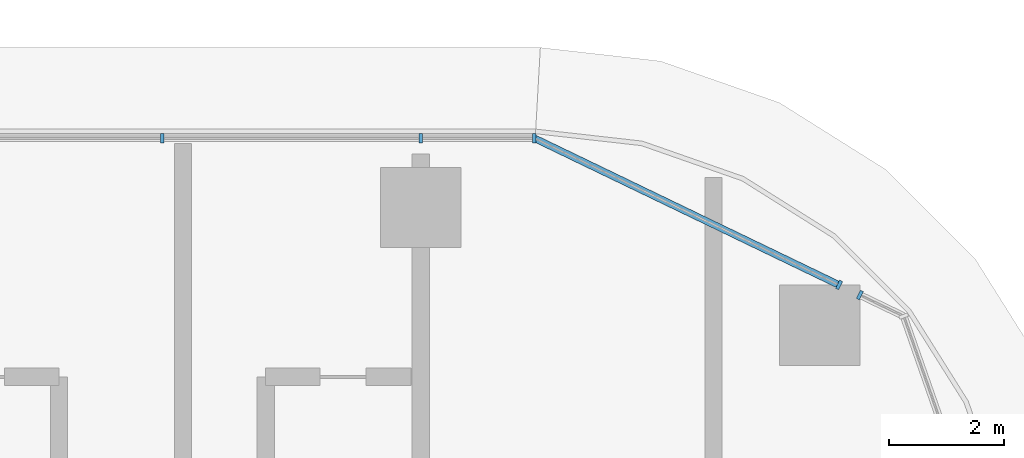
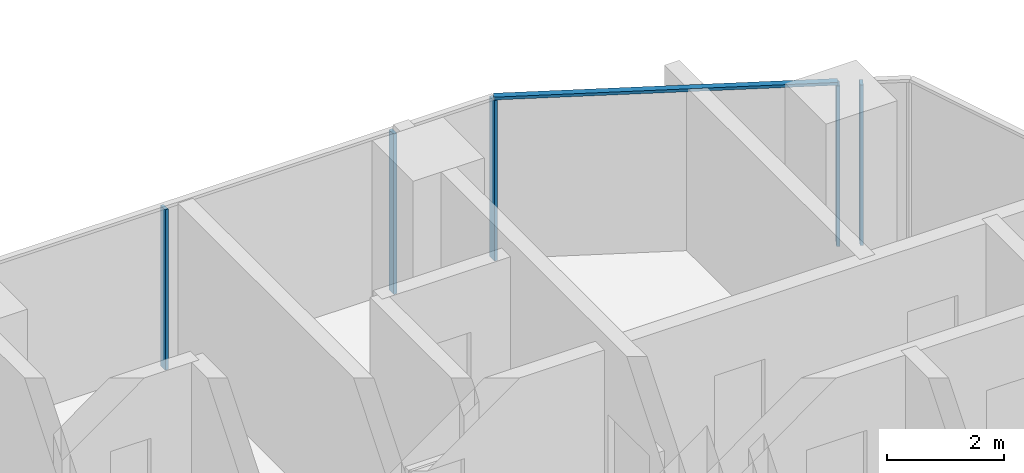
# One storey, part 5 of 39: 6 members, 3 elements without a shape of their own.
"""IFC4 building model written with IfcOpenShell, lengths in metres."""

from ifc_helpers import new_model, si_unit, direction, frame, origin, origin_2d, place, context, subcontext, project, spatial, rectangle, extrude, material, material_profile, profile_set, type_object, element, aggregate, save


model = new_model("IFC4")

# Units and contexts
model_context = context("Model", 3, precision=1e-05, world=origin(), true_north=direction((0.0, 1.0)))
body_context = subcontext(model_context, "Body", "Model", "MODEL_VIEW")
ifc_project = project(units=[si_unit("LENGTHUNIT", "METRE"), si_unit("AREAUNIT", "SQUARE_METRE"), si_unit("VOLUMEUNIT", "CUBIC_METRE"), si_unit("PLANEANGLEUNIT", "RADIAN"), si_unit("MASSUNIT", "GRAM", prefix="KILO")], contexts=[model_context])

# Site, building, storey
site_placement = place(None, origin())
site = spatial("IfcSite", under=ifc_project, at=site_placement, CompositionType="ELEMENT")
building_placement = place(site_placement, origin())
building = spatial("IfcBuilding", under=site, at=building_placement, Name="Ogive Portal Towers", CompositionType="ELEMENT")
storey_placement = place(building_placement, frame((0.0, 0.0, 44.60009765625)))
storey = spatial("IfcBuildingStorey", under=building, at=storey_placement, Name="L09", CompositionType="ELEMENT", Elevation=44.60009765625)

# Curtain wall, members
ifc_material_1 = material(Name="Glass, clear low-iron insulated glazing", Category="glass")
curtain_wall_type = type_object("IfcCurtainWallType", Name="CW FRONT RIBBON 4500", PredefinedType="NOTDEFINED", material=ifc_material_1)
curtain_wall_1_placement = place(storey_placement, origin())
curtain_wall_1 = element("IfcCurtainWall", 1, at=curtain_wall_1_placement, inside=storey, type_object=curtain_wall_type, Name="A:L09:f11:cw0", PredefinedType="NOTDEFINED")
ifc_material_2 = material(Name="Aluminium 6063 anodised", Category="aluminium")
ifc_material_profile_1 = material_profile(ifc_material_2, rectangle(XDim=0.159912109375, YDim=0.06005859375, at=origin_2d()), Name="AL 60x160")
ifc_profile_set_1 = profile_set([ifc_material_profile_1], Name="Aluminium 6063 anodised")
member_type_1 = type_object("IfcMemberType", Name="CW MULLION 60x160", PredefinedType="MULLION", material=ifc_profile_set_1)
member_1_placement = place(storey_placement, frame((87.481689453125, 40.705078125, 0.0), z_axis=(0.0, 0.0, 1.0), x_axis=(0.0, -1.0, 0.0)))
member_1 = element("IfcMember", 2, at=member_1_placement, type_object=member_type_1, Name="mullion", PredefinedType="MULLION", context=body_context, shape_type="SweptSolid", body=[
    extrude(rectangle(XDim=0.159912109375, YDim=0.06005859375, at=origin_2d()), origin(), (0.0, 0.0, 1.0), 3.33984375),
])
member_2_placement = place(storey_placement, frame((85.5, 40.705078125, 0.0), z_axis=(0.0, 0.0, 1.0), x_axis=(0.0, -1.0, 0.0)))
member_2 = element("IfcMember", 3, at=member_2_placement, type_object=member_type_1, Name="mullion", PredefinedType="MULLION", context=body_context, shape_type="SweptSolid", body=[
    extrude(rectangle(XDim=0.159912109375, YDim=0.06005859375, at=origin_2d()), origin(), (0.0, 0.0, 1.0), 3.33984375),
])
member_3_placement = place(storey_placement, frame((81.0, 40.705078125, 0.0), z_axis=(0.0, 0.0, 1.0), x_axis=(0.0, -1.0, 0.0)))
member_3 = element("IfcMember", 4, at=member_3_placement, type_object=member_type_1, Name="mullion", PredefinedType="MULLION", context=body_context, shape_type="SweptSolid", body=[
    extrude(rectangle(XDim=0.159912109375, YDim=0.06005859375, at=origin_2d()), origin(), (0.0, 0.0, 1.0), 3.33984375),
])
aggregate(curtain_wall_1, [member_1, member_2, member_3])

# Curtain wall, member
curtain_wall_2_placement = place(storey_placement, origin())
curtain_wall_2 = element("IfcCurtainWall", 5, at=curtain_wall_2_placement, inside=storey, type_object=curtain_wall_type, Name="A:L09:f09:cwa~0", PredefinedType="NOTDEFINED")
member_4_placement = place(storey_placement, frame((93.14990234375, 37.975341796875, 0.0), z_axis=(0.0, 0.0, 1.0), x_axis=(-0.433883739113, -0.900968867905, 0.0)))
member_4 = element("IfcMember", 6, at=member_4_placement, type_object=member_type_1, Name="mullion", PredefinedType="MULLION", context=body_context, shape_type="SweptSolid", body=[
    extrude(rectangle(XDim=0.159912109375, YDim=0.06005859375, at=origin_2d()), origin(), (0.0, 0.0, 1.0), 3.33984375),
])
aggregate(curtain_wall_2, [member_4])

# Curtain wall, members
curtain_wall_3_placement = place(storey_placement, origin())
curtain_wall_3 = element("IfcCurtainWall", 7, at=curtain_wall_3_placement, inside=storey, type_object=curtain_wall_type, Name="A:L09:f09:cwa~1", PredefinedType="NOTDEFINED")
member_5_placement = place(storey_placement, frame((92.787353515625, 38.14990234375, 0.0), z_axis=(0.0, 0.0, 1.0), x_axis=(-0.433883739113, -0.900968867905, 0.0)))
member_5 = element("IfcMember", 8, at=member_5_placement, type_object=member_type_1, Name="mullion", PredefinedType="MULLION", context=body_context, shape_type="SweptSolid", body=[
    extrude(rectangle(XDim=0.159912109375, YDim=0.06005859375, at=origin_2d()), origin(), (0.0, 0.0, 1.0), 3.33984375),
])
ifc_material_profile_2 = material_profile(ifc_material_2, rectangle(XDim=0.1201171875, YDim=0.06005859375, at=origin_2d()), Name="AL 120x60")
ifc_profile_set_2 = profile_set([ifc_material_profile_2], Name="Aluminium 6063 anodised")
member_type_2 = type_object("IfcMemberType", Name="CW TRANSOM 60x120", PredefinedType="USERDEFINED", material=ifc_profile_set_2)
member_6_placement = place(storey_placement, frame((92.787353515625, 38.14990234375, 3.369873046875), z_axis=(-0.900962054825, 0.433897886334, 0.0), x_axis=(-0.433897886334, -0.900962054825, 0.0)))
member_6 = element("IfcMember", 9, at=member_6_placement, type_object=member_type_2, Name="transom", ObjectType="TRANSOM", PredefinedType="USERDEFINED", context=body_context, shape_type="SweptSolid", body=[
    extrude(rectangle(XDim=0.1201171875, YDim=0.06005859375, at=origin_2d()), origin(), (0.0, 0.0, 1.0), 5.888916015625),
])
aggregate(curtain_wall_3, [member_6, member_5])

save(model, "model.ifc")
